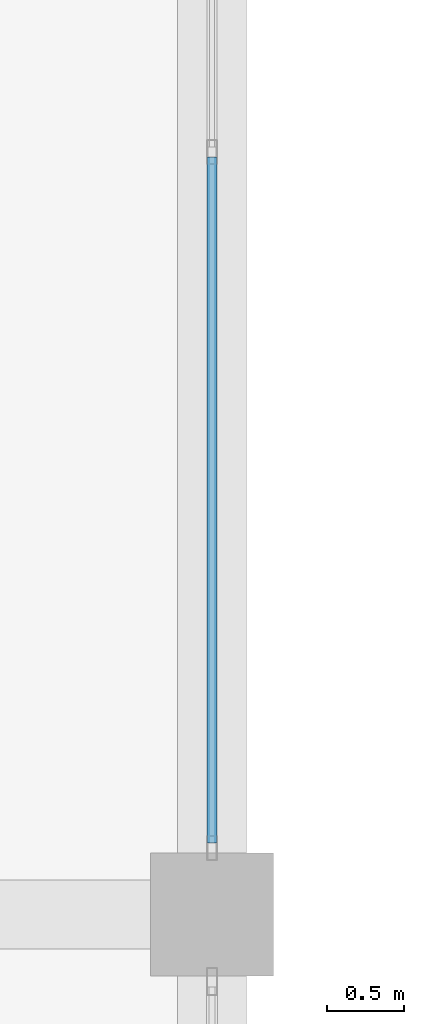
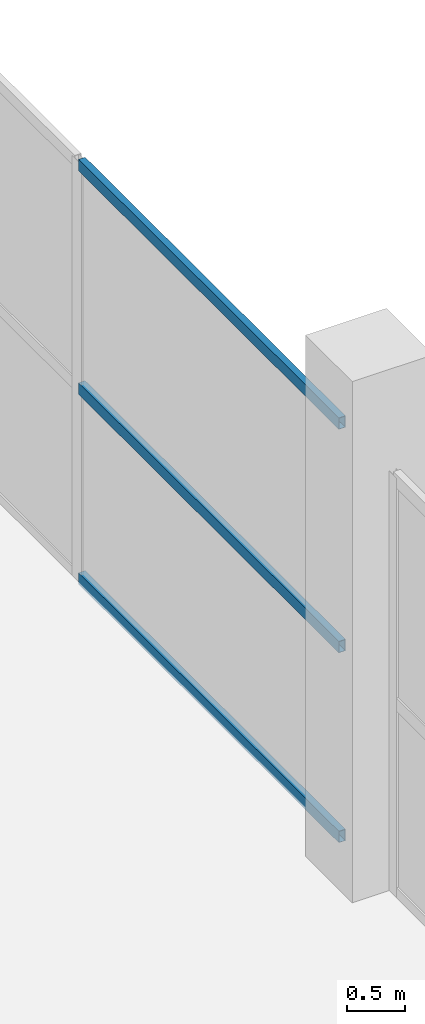
# One storey, part 11 of 72: 3 members, 1 element without a shape of its own.
"""IFC4 building model written with IfcOpenShell, lengths in metres."""

from ifc_helpers import new_model, si_unit, direction, frame, origin, origin_2d, place, context, subcontext, project, spatial, hollow_rectangle, extrude, material, layer, layer_set, material_profile, profile_set, type_object, element, aggregate, save


model = new_model("IFC4")

# Units and contexts
model_context = context("Model", 3, precision=1e-05, world=origin(), true_north=direction((0.0, 1.0)))
body_context = subcontext(model_context, "Body", "Model", "MODEL_VIEW")
ifc_project = project(units=[si_unit("LENGTHUNIT", "METRE"), si_unit("AREAUNIT", "SQUARE_METRE"), si_unit("VOLUMEUNIT", "CUBIC_METRE"), si_unit("PLANEANGLEUNIT", "RADIAN"), si_unit("MASSUNIT", "GRAM", prefix="KILO")], contexts=[model_context])

# Site, building, storey
site_placement = place(None, origin())
site = spatial("IfcSite", under=ifc_project, at=site_placement, CompositionType="ELEMENT")
building_placement = place(site_placement, origin())
building = spatial("IfcBuilding", under=site, at=building_placement, Name="Sillaruma Civic Art Gallery", CompositionType="ELEMENT")
storey_placement = place(building_placement, frame((0.0, 0.0, 10.8798828125)))
storey = spatial("IfcBuildingStorey", under=building, at=storey_placement, Name="L02", CompositionType="ELEMENT", Elevation=10.8798828125)

# Curtain wall, members
ifc_material = material(Name="Thermally Broken Extruded Aluminium 6063-T6", Category="aluminium")
ifc_layer = layer(ifc_material, 0.159912109375, Name="Thermally Broken Extruded Aluminium 6063-T6")
ifc_layer_set = layer_set([ifc_layer], Name="Thermally Broken Extruded Aluminium 6063-T6")
curtain_wall_type = type_object("IfcCurtainWallType", Name="CW-UNI-17", PredefinedType="NOTDEFINED", material=ifc_layer_set)
curtain_wall_placement = place(storey_placement, origin())
curtain_wall = element("IfcCurtainWall", 1, at=curtain_wall_placement, inside=storey, type_object=curtain_wall_type, Name="Unitised Curtain Wall CW-17 (CW-L02-SPE-5)", PredefinedType="NOTDEFINED")
ifc_material_profile = material_profile(ifc_material, hollow_rectangle(XDim=0.06494140625, YDim=0.1201171875, WallThickness=0.00341796875, at=origin_2d()), Name="CWT65x120")
ifc_profile_set = profile_set([ifc_material_profile], Name="Thermally Broken Extruded Aluminium 6063-T6")
member_type = type_object("IfcMemberType", Name="MEM-TRN-CWT65x120", PredefinedType="USERDEFINED", material=ifc_profile_set)
member_1_placement = place(storey_placement, frame((114.39990234375, 59.864990234375, 0.03271484375), z_axis=(0.0, 1.0, 0.0), x_axis=(-1.0, 0.0, 0.0)))
member_1 = element("IfcMember", 2, at=member_1_placement, type_object=member_type, Name="CW-17 transom 1.1", ObjectType="TRANSOM", PredefinedType="USERDEFINED", context=body_context, shape_type="SweptSolid", body=[
    extrude(hollow_rectangle(XDim=0.06494140625, YDim=0.1201171875, WallThickness=0.00341796875, at=origin_2d()), origin(), (0.0, 0.0, 1.0), 4.452392578125),
])
member_2_placement = place(storey_placement, frame((114.39990234375, 59.864990234375, 2.014892578125), z_axis=(0.0, 1.0, 0.0), x_axis=(-1.0, 0.0, 0.0)))
member_2 = element("IfcMember", 3, at=member_2_placement, type_object=member_type, Name="CW-17 transom 1.2", ObjectType="TRANSOM", PredefinedType="USERDEFINED", context=body_context, shape_type="SweptSolid", body=[
    extrude(hollow_rectangle(XDim=0.06494140625, YDim=0.1201171875, WallThickness=0.00341796875, at=origin_2d()), origin(), (0.0, 0.0, 1.0), 4.452392578125),
])
member_3_placement = place(storey_placement, frame((114.39990234375, 59.864990234375, 4.34765625), z_axis=(0.0, 1.0, 0.0), x_axis=(-1.0, 0.0, 0.0)))
member_3 = element("IfcMember", 4, at=member_3_placement, type_object=member_type, Name="CW-17 transom 1.3", ObjectType="TRANSOM", PredefinedType="USERDEFINED", context=body_context, shape_type="SweptSolid", body=[
    extrude(hollow_rectangle(XDim=0.06494140625, YDim=0.1201171875, WallThickness=0.00341796875, at=origin_2d()), origin(), (0.0, 0.0, 1.0), 4.452392578125),
])
aggregate(curtain_wall, [member_1, member_2, member_3])

save(model, "model.ifc")
